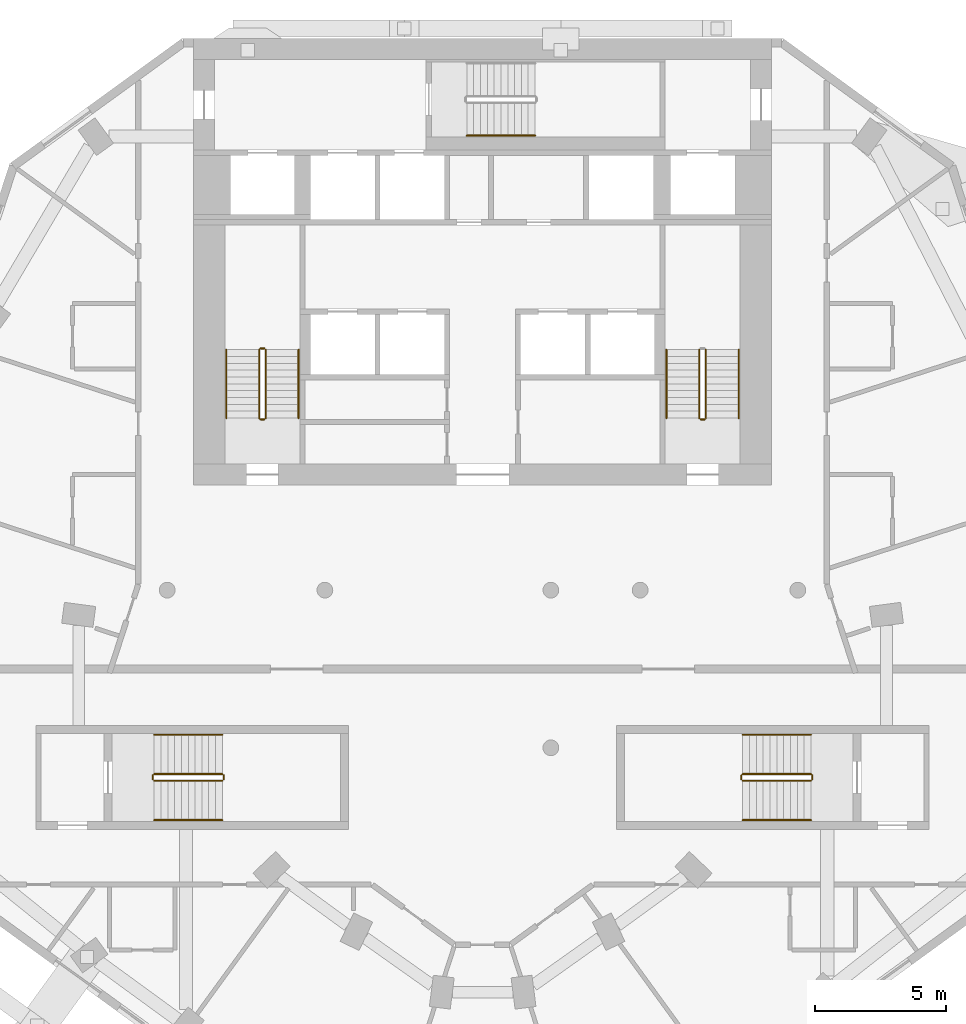
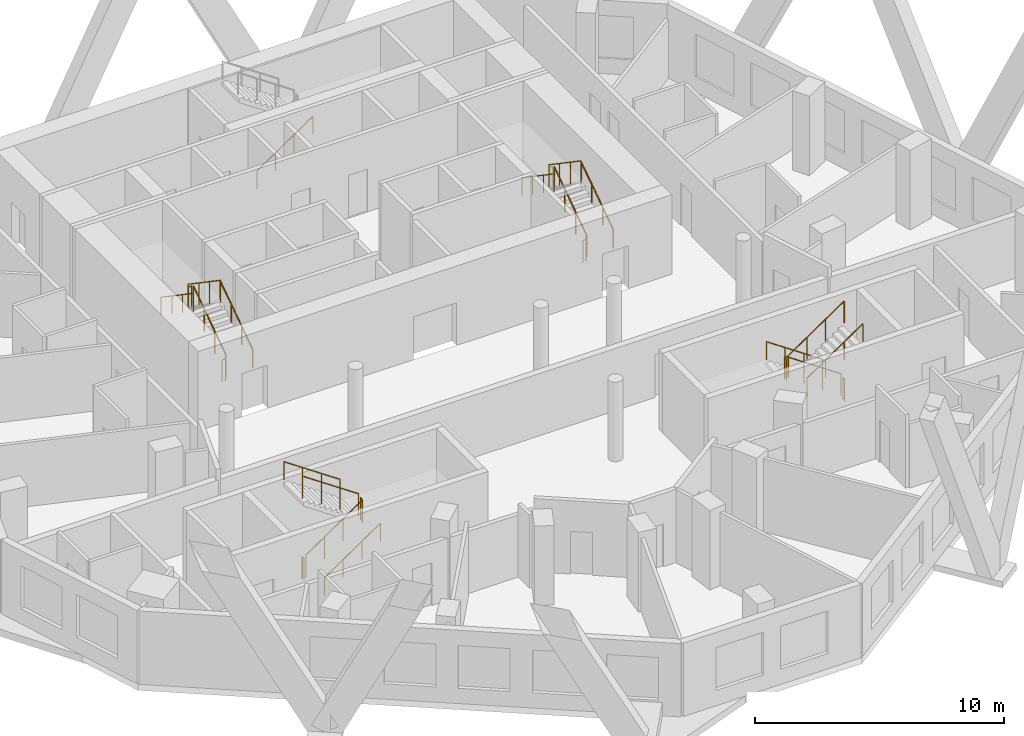
# One storey, part 9 of 10: 24 railings.
"""IFC4 building model written with IfcOpenShell, lengths in metres."""

from ifc_helpers import new_model, si_unit, direction, frame, origin, origin_2d, place, context, subcontext, project, spatial, circle, extrude, material, type_object, element, save


model = new_model("IFC4")

# Units and contexts
model_context = context("Model", 3, precision=1e-05, world=origin(), true_north=direction((0.0, 1.0)))
body_context = subcontext(model_context, "Body", "Model", "MODEL_VIEW")
ifc_project = project(units=[si_unit("LENGTHUNIT", "METRE"), si_unit("AREAUNIT", "SQUARE_METRE"), si_unit("VOLUMEUNIT", "CUBIC_METRE"), si_unit("PLANEANGLEUNIT", "RADIAN"), si_unit("MASSUNIT", "GRAM", prefix="KILO")], contexts=[model_context])

# Site, building, storey
site_placement = place(None, origin())
site = spatial("IfcSite", under=ifc_project, at=site_placement, CompositionType="ELEMENT")
building_placement = place(site_placement, origin())
building = spatial("IfcBuilding", under=site, at=building_placement, Name="White Candle Pilgrim Tower", CompositionType="ELEMENT")
storey_placement = place(building_placement, frame((0.0, 0.0, 231.60009765625)))
storey = spatial("IfcBuildingStorey", under=building, at=storey_placement, Name="L54", CompositionType="ELEMENT", Elevation=231.60009765625)

# Railings
ifc_material = material(Name="Stainless steel", Category="steel")
railing_type_1 = type_object("IfcRailingType", Name="Stair guard stainless steel 1100 mm", PredefinedType="GUARDRAIL", material=ifc_material)
railing_1_placement = place(storey_placement, frame((61.75, 73.550048828125, 0.17724609375)))
element("IfcRailing", 1, at=railing_1_placement, inside=storey, type_object=railing_type_1, Name="L54 ST1 stair guard 1", PredefinedType="GUARDRAIL", context=body_context, shape_type="SweptSolid", body=[
    extrude(circle(Radius=0.02392578125, at=origin_2d()), frame((0.0, 0.0, 1.076171875), z_axis=(0.0, 0.826215852431, 0.563353676824), x_axis=(-1.0, 0.0, 0.0)), (0.0, 0.0, 1.0), 3.146728515625),
    extrude(circle(Radius=0.02099609375, at=origin_2d()), origin(), (0.0, 0.0, 1.0), 1.052001953125),
    extrude(circle(Radius=0.02099609375, at=origin_2d()), frame((0.0, 0.86669921875, 0.5908203125)), (0.0, 0.0, 1.0), 1.052001953125),
    extrude(circle(Radius=0.02099609375, at=origin_2d()), frame((0.0, 1.733154296875, 1.181884765625)), (0.0, 0.0, 1.0), 1.052001953125),
    extrude(circle(Radius=0.02099609375, at=origin_2d()), frame((0.0, 2.599853515625, 1.772705078125)), (0.0, 0.0, 1.0), 1.052001953125),
])
railing_2_placement = place(storey_placement, frame((61.699951171875, 76.199951171875, 1.949951171875)))
element("IfcRailing", 2, at=railing_2_placement, inside=storey, type_object=railing_type_1, Name="L54 ST1 stair guard 2", PredefinedType="GUARDRAIL", context=body_context, shape_type="SweptSolid", body=[
    extrude(circle(Radius=0.02392578125, at=origin_2d()), frame((0.0, 0.0, 1.076171875), z_axis=(-1.0, 0.0, 0.0), x_axis=(0.0, -1.0, 0.0)), (0.0, 0.0, 1.0), 0.14990234375),
    extrude(circle(Radius=0.02099609375, at=origin_2d()), origin(), (0.0, 0.0, 1.0), 1.052001953125),
    extrude(circle(Radius=0.02099609375, at=origin_2d()), frame((-0.14990234375, 0.0, 0.0)), (0.0, 0.0, 1.0), 1.052001953125),
])
railing_3_placement = place(storey_placement, frame((61.5, 76.14990234375, 2.127197265625)))
element("IfcRailing", 3, at=railing_3_placement, inside=storey, type_object=railing_type_1, Name="L54 ST1 stair guard 3", PredefinedType="GUARDRAIL", context=body_context, shape_type="SweptSolid", body=[
    extrude(circle(Radius=0.02392578125, at=origin_2d()), frame((0.0, 0.0, 1.076171875), z_axis=(0.0, -0.826215852431, 0.563353676824), x_axis=(1.0, 0.0, 0.0)), (0.0, 0.0, 1.0), 3.146728515625),
    extrude(circle(Radius=0.02099609375, at=origin_2d()), origin(), (0.0, 0.0, 1.0), 1.052001953125),
    extrude(circle(Radius=0.02099609375, at=origin_2d()), frame((0.0, -0.86669921875, 0.5908203125)), (0.0, 0.0, 1.0), 1.052001953125),
    extrude(circle(Radius=0.02099609375, at=origin_2d()), frame((0.0, -1.733154296875, 1.181884765625)), (0.0, 0.0, 1.0), 1.052001953125),
    extrude(circle(Radius=0.02099609375, at=origin_2d()), frame((0.0, -2.599853515625, 1.772705078125)), (0.0, 0.0, 1.0), 1.052001953125),
])
railing_4_placement = place(storey_placement, frame((61.699951171875, 73.5, 0.0)))
element("IfcRailing", 4, at=railing_4_placement, inside=storey, type_object=railing_type_1, Name="L54 ST1 stair guard 4", PredefinedType="GUARDRAIL", context=body_context, shape_type="SweptSolid", body=[
    extrude(circle(Radius=0.02392578125, at=origin_2d()), frame((0.0, 0.0, 1.076171875), z_axis=(-1.0, 0.0, 0.0), x_axis=(0.0, -1.0, 0.0)), (0.0, 0.0, 1.0), 0.14990234375),
    extrude(circle(Radius=0.02099609375, at=origin_2d()), origin(), (0.0, 0.0, 1.0), 1.052001953125),
    extrude(circle(Radius=0.02099609375, at=origin_2d()), frame((-0.14990234375, 0.0, 0.0)), (0.0, 0.0, 1.0), 1.052001953125),
])
railing_5_placement = place(storey_placement, frame((78.5, 73.550048828125, 0.17724609375)))
element("IfcRailing", 5, at=railing_5_placement, inside=storey, type_object=railing_type_1, Name="L54 ST2 stair guard 1", PredefinedType="GUARDRAIL", context=body_context, shape_type="SweptSolid", body=[
    extrude(circle(Radius=0.02392578125, at=origin_2d()), frame((0.0, 0.0, 1.076171875), z_axis=(0.0, 0.826215852431, 0.563353676824), x_axis=(-1.0, 0.0, 0.0)), (0.0, 0.0, 1.0), 3.146728515625),
    extrude(circle(Radius=0.02099609375, at=origin_2d()), origin(), (0.0, 0.0, 1.0), 1.052001953125),
    extrude(circle(Radius=0.02099609375, at=origin_2d()), frame((0.0, 0.86669921875, 0.5908203125)), (0.0, 0.0, 1.0), 1.052001953125),
    extrude(circle(Radius=0.02099609375, at=origin_2d()), frame((0.0, 1.733154296875, 1.181884765625)), (0.0, 0.0, 1.0), 1.052001953125),
    extrude(circle(Radius=0.02099609375, at=origin_2d()), frame((0.0, 2.599853515625, 1.772705078125)), (0.0, 0.0, 1.0), 1.052001953125),
])
railing_6_placement = place(storey_placement, frame((78.25, 76.14990234375, 2.127197265625)))
element("IfcRailing", 6, at=railing_6_placement, inside=storey, type_object=railing_type_1, Name="L54 ST2 stair guard 3", PredefinedType="GUARDRAIL", context=body_context, shape_type="SweptSolid", body=[
    extrude(circle(Radius=0.02392578125, at=origin_2d()), frame((0.0, 0.0, 1.076171875), z_axis=(0.0, -0.826215852431, 0.563353676824), x_axis=(1.0, 0.0, 0.0)), (0.0, 0.0, 1.0), 3.146728515625),
    extrude(circle(Radius=0.02099609375, at=origin_2d()), origin(), (0.0, 0.0, 1.0), 1.052001953125),
    extrude(circle(Radius=0.02099609375, at=origin_2d()), frame((0.0, -0.86669921875, 0.5908203125)), (0.0, 0.0, 1.0), 1.052001953125),
    extrude(circle(Radius=0.02099609375, at=origin_2d()), frame((0.0, -1.733154296875, 1.181884765625)), (0.0, 0.0, 1.0), 1.052001953125),
    extrude(circle(Radius=0.02099609375, at=origin_2d()), frame((0.0, -2.599853515625, 1.772705078125)), (0.0, 0.0, 1.0), 1.052001953125),
])
railing_7_placement = place(storey_placement, frame((78.449951171875, 73.5, 0.0)))
element("IfcRailing", 7, at=railing_7_placement, inside=storey, type_object=railing_type_1, Name="L54 ST2 stair guard 4", PredefinedType="GUARDRAIL", context=body_context, shape_type="SweptSolid", body=[
    extrude(circle(Radius=0.02392578125, at=origin_2d()), frame((0.0, 0.0, 1.076171875), z_axis=(-1.0, 0.0, 0.0), x_axis=(0.0, -1.0, 0.0)), (0.0, 0.0, 1.0), 0.14990234375),
    extrude(circle(Radius=0.02099609375, at=origin_2d()), origin(), (0.0, 0.0, 1.0), 1.052001953125),
    extrude(circle(Radius=0.02099609375, at=origin_2d()), frame((-0.14990234375, 0.0, 0.0)), (0.0, 0.0, 1.0), 1.052001953125),
])
railing_8_placement = place(storey_placement, frame((82.5, 60.0, 0.17724609375)))
element("IfcRailing", 8, at=railing_8_placement, inside=storey, type_object=railing_type_1, Name="L54 ST4 stair guard 1", PredefinedType="GUARDRAIL", context=body_context, shape_type="SweptSolid", body=[
    extrude(circle(Radius=0.02392578125, at=origin_2d()), frame((0.0, 0.0, 1.076171875), z_axis=(-0.826240473404, 0.0, 0.563317565952), x_axis=(0.0, -1.0, 0.0)), (0.0, 0.0, 1.0), 3.14697265625),
    extrude(circle(Radius=0.02099609375, at=origin_2d()), origin(), (0.0, 0.0, 1.0), 1.052001953125),
    extrude(circle(Radius=0.02099609375, at=origin_2d()), frame((-0.86669921875, 0.0, 0.5908203125)), (0.0, 0.0, 1.0), 1.052001953125),
    extrude(circle(Radius=0.02099609375, at=origin_2d()), frame((-1.7333984375, 0.0, 1.181884765625)), (0.0, 0.0, 1.0), 1.052001953125),
    extrude(circle(Radius=0.02099609375, at=origin_2d()), frame((-2.60009765625, 0.0, 1.772705078125)), (0.0, 0.0, 1.0), 1.052001953125),
])
railing_9_placement = place(storey_placement, frame((79.85009765625, 59.949951171875, 1.949951171875)))
element("IfcRailing", 9, at=railing_9_placement, inside=storey, type_object=railing_type_1, Name="L54 ST4 stair guard 2", PredefinedType="GUARDRAIL", context=body_context, shape_type="SweptSolid", body=[
    extrude(circle(Radius=0.02392578125, at=origin_2d()), frame((0.0, 0.0, 1.076171875), z_axis=(0.0, -1.0, 0.0), x_axis=(1.0, 0.0, 0.0)), (0.0, 0.0, 1.0), 0.14990234375),
    extrude(circle(Radius=0.02099609375, at=origin_2d()), origin(), (0.0, 0.0, 1.0), 1.052001953125),
    extrude(circle(Radius=0.02099609375, at=origin_2d()), frame((0.0, -0.14990234375, 0.0)), (0.0, 0.0, 1.0), 1.052001953125),
])
railing_10_placement = place(storey_placement, frame((79.89990234375, 59.75, 2.127197265625)))
element("IfcRailing", 10, at=railing_10_placement, inside=storey, type_object=railing_type_1, Name="L54 ST4 stair guard 3", PredefinedType="GUARDRAIL", context=body_context, shape_type="SweptSolid", body=[
    extrude(circle(Radius=0.02392578125, at=origin_2d()), frame((0.0, 0.0, 1.076171875), z_axis=(0.826240473404, 0.0, 0.563317565952), x_axis=(0.0, 1.0, 0.0)), (0.0, 0.0, 1.0), 3.14697265625),
    extrude(circle(Radius=0.02099609375, at=origin_2d()), origin(), (0.0, 0.0, 1.0), 1.052001953125),
    extrude(circle(Radius=0.02099609375, at=origin_2d()), frame((0.86669921875, 0.0, 0.5908203125)), (0.0, 0.0, 1.0), 1.052001953125),
    extrude(circle(Radius=0.02099609375, at=origin_2d()), frame((1.7333984375, 0.0, 1.181884765625)), (0.0, 0.0, 1.0), 1.052001953125),
    extrude(circle(Radius=0.02099609375, at=origin_2d()), frame((2.60009765625, 0.0, 1.772705078125)), (0.0, 0.0, 1.0), 1.052001953125),
])
railing_11_placement = place(storey_placement, frame((82.550048828125, 59.949951171875, 0.0)))
element("IfcRailing", 11, at=railing_11_placement, inside=storey, type_object=railing_type_1, Name="L54 ST4 stair guard 4", PredefinedType="GUARDRAIL", context=body_context, shape_type="SweptSolid", body=[
    extrude(circle(Radius=0.02392578125, at=origin_2d()), frame((0.0, 0.0, 1.076171875), z_axis=(0.0, -1.0, 0.0), x_axis=(1.0, 0.0, 0.0)), (0.0, 0.0, 1.0), 0.14990234375),
    extrude(circle(Radius=0.02099609375, at=origin_2d()), origin(), (0.0, 0.0, 1.0), 1.052001953125),
    extrude(circle(Radius=0.02099609375, at=origin_2d()), frame((0.0, -0.14990234375, 0.0)), (0.0, 0.0, 1.0), 1.052001953125),
])
railing_12_placement = place(storey_placement, frame((57.5, 59.75, 0.17724609375)))
element("IfcRailing", 12, at=railing_12_placement, inside=storey, type_object=railing_type_1, Name="L54 ST5 stair guard 1", PredefinedType="GUARDRAIL", context=body_context, shape_type="SweptSolid", body=[
    extrude(circle(Radius=0.02392578125, at=origin_2d()), frame((0.0, 0.0, 1.076171875), z_axis=(0.826240473404, 0.0, 0.563317565952), x_axis=(0.0, 1.0, 0.0)), (0.0, 0.0, 1.0), 3.14697265625),
    extrude(circle(Radius=0.02099609375, at=origin_2d()), origin(), (0.0, 0.0, 1.0), 1.052001953125),
    extrude(circle(Radius=0.02099609375, at=origin_2d()), frame((0.86669921875, 0.0, 0.5908203125)), (0.0, 0.0, 1.0), 1.052001953125),
    extrude(circle(Radius=0.02099609375, at=origin_2d()), frame((1.7333984375, 0.0, 1.181884765625)), (0.0, 0.0, 1.0), 1.052001953125),
    extrude(circle(Radius=0.02099609375, at=origin_2d()), frame((2.60009765625, 0.0, 1.772705078125)), (0.0, 0.0, 1.0), 1.052001953125),
])
railing_13_placement = place(storey_placement, frame((60.14990234375, 59.800048828125, 1.949951171875)))
element("IfcRailing", 13, at=railing_13_placement, inside=storey, type_object=railing_type_1, Name="L54 ST5 stair guard 2", PredefinedType="GUARDRAIL", context=body_context, shape_type="SweptSolid", body=[
    extrude(circle(Radius=0.02392578125, at=origin_2d()), frame((0.0, 0.0, 1.076171875), z_axis=(0.0, 1.0, 0.0), x_axis=(-1.0, 0.0, 0.0)), (0.0, 0.0, 1.0), 0.14990234375),
    extrude(circle(Radius=0.02099609375, at=origin_2d()), origin(), (0.0, 0.0, 1.0), 1.052001953125),
    extrude(circle(Radius=0.02099609375, at=origin_2d()), frame((0.0, 0.14990234375, 0.0)), (0.0, 0.0, 1.0), 1.052001953125),
])
railing_14_placement = place(storey_placement, frame((60.10009765625, 60.0, 2.127197265625)))
element("IfcRailing", 14, at=railing_14_placement, inside=storey, type_object=railing_type_1, Name="L54 ST5 stair guard 3", PredefinedType="GUARDRAIL", context=body_context, shape_type="SweptSolid", body=[
    extrude(circle(Radius=0.02392578125, at=origin_2d()), frame((0.0, 0.0, 1.076171875), z_axis=(-0.826240473404, 0.0, 0.563317565952), x_axis=(0.0, -1.0, 0.0)), (0.0, 0.0, 1.0), 3.14697265625),
    extrude(circle(Radius=0.02099609375, at=origin_2d()), origin(), (0.0, 0.0, 1.0), 1.052001953125),
    extrude(circle(Radius=0.02099609375, at=origin_2d()), frame((-0.86669921875, 0.0, 0.5908203125)), (0.0, 0.0, 1.0), 1.052001953125),
    extrude(circle(Radius=0.02099609375, at=origin_2d()), frame((-1.7333984375, 0.0, 1.181884765625)), (0.0, 0.0, 1.0), 1.052001953125),
    extrude(circle(Radius=0.02099609375, at=origin_2d()), frame((-2.60009765625, 0.0, 1.772705078125)), (0.0, 0.0, 1.0), 1.052001953125),
])
railing_15_placement = place(storey_placement, frame((57.449951171875, 59.800048828125, 0.0)))
element("IfcRailing", 15, at=railing_15_placement, inside=storey, type_object=railing_type_1, Name="L54 ST5 stair guard 4", PredefinedType="GUARDRAIL", context=body_context, shape_type="SweptSolid", body=[
    extrude(circle(Radius=0.02392578125, at=origin_2d()), frame((0.0, 0.0, 1.076171875), z_axis=(0.0, 1.0, 0.0), x_axis=(-1.0, 0.0, 0.0)), (0.0, 0.0, 1.0), 0.14990234375),
    extrude(circle(Radius=0.02099609375, at=origin_2d()), origin(), (0.0, 0.0, 1.0), 1.052001953125),
    extrude(circle(Radius=0.02099609375, at=origin_2d()), frame((0.0, 0.14990234375, 0.0)), (0.0, 0.0, 1.0), 1.052001953125),
])
railing_type_2 = type_object("IfcRailingType", Name="Stair handrail stainless steel", PredefinedType="HANDRAIL", material=ifc_material)
railing_16_placement = place(storey_placement, frame((63.0, 73.550048828125, 0.17724609375)))
element("IfcRailing", 16, at=railing_16_placement, inside=storey, type_object=railing_type_2, Name="L54 ST1 stair handrail 1", PredefinedType="HANDRAIL", context=body_context, shape_type="SweptSolid", body=[
    extrude(circle(Radius=0.02392578125, at=origin_2d()), frame((0.0, 0.0, 0.8759765625), z_axis=(0.0, 0.826215852431, 0.563353676824), x_axis=(-1.0, 0.0, 0.0)), (0.0, 0.0, 1.0), 3.146728515625),
    extrude(circle(Radius=0.02099609375, at=origin_2d()), origin(), (0.0, 0.0, 1.0), 0.851806640625),
    extrude(circle(Radius=0.02099609375, at=origin_2d()), frame((0.0, 0.86669921875, 0.5908203125)), (0.0, 0.0, 1.0), 0.851806640625),
    extrude(circle(Radius=0.02099609375, at=origin_2d()), frame((0.0, 1.733154296875, 1.181884765625)), (0.0, 0.0, 1.0), 0.851806640625),
    extrude(circle(Radius=0.02099609375, at=origin_2d()), frame((0.0, 2.599853515625, 1.772705078125)), (0.0, 0.0, 1.0), 0.851806640625),
])
railing_17_placement = place(storey_placement, frame((60.25, 76.14990234375, 2.127197265625)))
element("IfcRailing", 17, at=railing_17_placement, inside=storey, type_object=railing_type_2, Name="L54 ST1 stair handrail 2", PredefinedType="HANDRAIL", context=body_context, shape_type="SweptSolid", body=[
    extrude(circle(Radius=0.02392578125, at=origin_2d()), frame((0.0, 0.0, 0.8759765625), z_axis=(0.0, -0.826215852431, 0.563353676824), x_axis=(1.0, 0.0, 0.0)), (0.0, 0.0, 1.0), 3.146728515625),
    extrude(circle(Radius=0.02099609375, at=origin_2d()), origin(), (0.0, 0.0, 1.0), 0.851806640625),
    extrude(circle(Radius=0.02099609375, at=origin_2d()), frame((0.0, -0.86669921875, 0.5908203125)), (0.0, 0.0, 1.0), 0.851806640625),
    extrude(circle(Radius=0.02099609375, at=origin_2d()), frame((0.0, -1.733154296875, 1.181884765625)), (0.0, 0.0, 1.0), 0.851806640625),
    extrude(circle(Radius=0.02099609375, at=origin_2d()), frame((0.0, -2.599853515625, 1.772705078125)), (0.0, 0.0, 1.0), 0.851806640625),
])
railing_18_placement = place(storey_placement, frame((79.75, 73.550048828125, 0.17724609375)))
element("IfcRailing", 18, at=railing_18_placement, inside=storey, type_object=railing_type_2, Name="L54 ST2 stair handrail 1", PredefinedType="HANDRAIL", context=body_context, shape_type="SweptSolid", body=[
    extrude(circle(Radius=0.02392578125, at=origin_2d()), frame((0.0, 0.0, 0.8759765625), z_axis=(0.0, 0.826215852431, 0.563353676824), x_axis=(-1.0, 0.0, 0.0)), (0.0, 0.0, 1.0), 3.146728515625),
    extrude(circle(Radius=0.02099609375, at=origin_2d()), origin(), (0.0, 0.0, 1.0), 0.851806640625),
    extrude(circle(Radius=0.02099609375, at=origin_2d()), frame((0.0, 0.86669921875, 0.5908203125)), (0.0, 0.0, 1.0), 0.851806640625),
    extrude(circle(Radius=0.02099609375, at=origin_2d()), frame((0.0, 1.733154296875, 1.181884765625)), (0.0, 0.0, 1.0), 0.851806640625),
    extrude(circle(Radius=0.02099609375, at=origin_2d()), frame((0.0, 2.599853515625, 1.772705078125)), (0.0, 0.0, 1.0), 0.851806640625),
])
railing_19_placement = place(storey_placement, frame((77.0, 76.14990234375, 2.127197265625)))
element("IfcRailing", 19, at=railing_19_placement, inside=storey, type_object=railing_type_2, Name="L54 ST2 stair handrail 2", PredefinedType="HANDRAIL", context=body_context, shape_type="SweptSolid", body=[
    extrude(circle(Radius=0.02392578125, at=origin_2d()), frame((0.0, 0.0, 0.8759765625), z_axis=(0.0, -0.826215852431, 0.563353676824), x_axis=(1.0, 0.0, 0.0)), (0.0, 0.0, 1.0), 3.146728515625),
    extrude(circle(Radius=0.02099609375, at=origin_2d()), origin(), (0.0, 0.0, 1.0), 0.851806640625),
    extrude(circle(Radius=0.02099609375, at=origin_2d()), frame((0.0, -0.86669921875, 0.5908203125)), (0.0, 0.0, 1.0), 0.851806640625),
    extrude(circle(Radius=0.02099609375, at=origin_2d()), frame((0.0, -1.733154296875, 1.181884765625)), (0.0, 0.0, 1.0), 0.851806640625),
    extrude(circle(Radius=0.02099609375, at=origin_2d()), frame((0.0, -2.599853515625, 1.772705078125)), (0.0, 0.0, 1.0), 0.851806640625),
])
railing_20_placement = place(storey_placement, frame((69.39990234375, 84.300048828125, 0.17724609375)))
element("IfcRailing", 20, at=railing_20_placement, inside=storey, type_object=railing_type_2, Name="L54 ST3 stair handrail 1", PredefinedType="HANDRAIL", context=body_context, shape_type="SweptSolid", body=[
    extrude(circle(Radius=0.02392578125, at=origin_2d()), frame((0.0, 0.0, 0.8759765625), z_axis=(0.826240473404, 0.0, 0.563317565952), x_axis=(0.0, 1.0, 0.0)), (0.0, 0.0, 1.0), 3.14697265625),
    extrude(circle(Radius=0.02099609375, at=origin_2d()), origin(), (0.0, 0.0, 1.0), 0.851806640625),
    extrude(circle(Radius=0.02099609375, at=origin_2d()), frame((0.86669921875, 0.0, 0.5908203125)), (0.0, 0.0, 1.0), 0.851806640625),
    extrude(circle(Radius=0.02099609375, at=origin_2d()), frame((1.7333984375, 0.0, 1.181884765625)), (0.0, 0.0, 1.0), 0.851806640625),
    extrude(circle(Radius=0.02099609375, at=origin_2d()), frame((2.60009765625, 0.0, 1.772705078125)), (0.0, 0.0, 1.0), 0.851806640625),
])
railing_21_placement = place(storey_placement, frame((82.5, 61.5, 0.17724609375)))
element("IfcRailing", 21, at=railing_21_placement, inside=storey, type_object=railing_type_2, Name="L54 ST4 stair handrail 1", PredefinedType="HANDRAIL", context=body_context, shape_type="SweptSolid", body=[
    extrude(circle(Radius=0.02392578125, at=origin_2d()), frame((0.0, 0.0, 0.8759765625), z_axis=(-0.826240473404, 0.0, 0.563317565952), x_axis=(0.0, -1.0, 0.0)), (0.0, 0.0, 1.0), 3.14697265625),
    extrude(circle(Radius=0.02099609375, at=origin_2d()), origin(), (0.0, 0.0, 1.0), 0.851806640625),
    extrude(circle(Radius=0.02099609375, at=origin_2d()), frame((-0.86669921875, 0.0, 0.5908203125)), (0.0, 0.0, 1.0), 0.851806640625),
    extrude(circle(Radius=0.02099609375, at=origin_2d()), frame((-1.7333984375, 0.0, 1.181884765625)), (0.0, 0.0, 1.0), 0.851806640625),
    extrude(circle(Radius=0.02099609375, at=origin_2d()), frame((-2.60009765625, 0.0, 1.772705078125)), (0.0, 0.0, 1.0), 0.851806640625),
])
for number, where, name in (
    (22, (79.89990234375, 58.25, 2.127197265625), "L54 ST4 stair handrail 2"),
    (23, (57.5, 58.25, 0.17724609375), "L54 ST5 stair handrail 1"),
):
    element("IfcRailing", number, at=place(storey_placement, frame(where)), inside=storey, type_object=railing_type_2, Name=name, PredefinedType="HANDRAIL", context=body_context, shape_type="SweptSolid", body=[
        extrude(circle(Radius=0.02392578125, at=origin_2d()), frame((0.0, 0.0, 0.8759765625), z_axis=(0.826240473404, 0.0, 0.563317565952), x_axis=(0.0, 1.0, 0.0)), (0.0, 0.0, 1.0), 3.14697265625),
        extrude(circle(Radius=0.02099609375, at=origin_2d()), origin(), (0.0, 0.0, 1.0), 0.851806640625),
        extrude(circle(Radius=0.02099609375, at=origin_2d()), frame((0.86669921875, 0.0, 0.5908203125)), (0.0, 0.0, 1.0), 0.851806640625),
        extrude(circle(Radius=0.02099609375, at=origin_2d()), frame((1.7333984375, 0.0, 1.181884765625)), (0.0, 0.0, 1.0), 0.851806640625),
        extrude(circle(Radius=0.02099609375, at=origin_2d()), frame((2.60009765625, 0.0, 1.772705078125)), (0.0, 0.0, 1.0), 0.851806640625),
    ])
railing_22_placement = place(storey_placement, frame((60.10009765625, 61.5, 2.127197265625)))
element("IfcRailing", 24, at=railing_22_placement, inside=storey, type_object=railing_type_2, Name="L54 ST5 stair handrail 2", PredefinedType="HANDRAIL", context=body_context, shape_type="SweptSolid", body=[
    extrude(circle(Radius=0.02392578125, at=origin_2d()), frame((0.0, 0.0, 0.8759765625), z_axis=(-0.826240473404, 0.0, 0.563317565952), x_axis=(0.0, -1.0, 0.0)), (0.0, 0.0, 1.0), 3.14697265625),
    extrude(circle(Radius=0.02099609375, at=origin_2d()), origin(), (0.0, 0.0, 1.0), 0.851806640625),
    extrude(circle(Radius=0.02099609375, at=origin_2d()), frame((-0.86669921875, 0.0, 0.5908203125)), (0.0, 0.0, 1.0), 0.851806640625),
    extrude(circle(Radius=0.02099609375, at=origin_2d()), frame((-1.7333984375, 0.0, 1.181884765625)), (0.0, 0.0, 1.0), 0.851806640625),
    extrude(circle(Radius=0.02099609375, at=origin_2d()), frame((-2.60009765625, 0.0, 1.772705078125)), (0.0, 0.0, 1.0), 0.851806640625),
])

save(model, "model.ifc")
